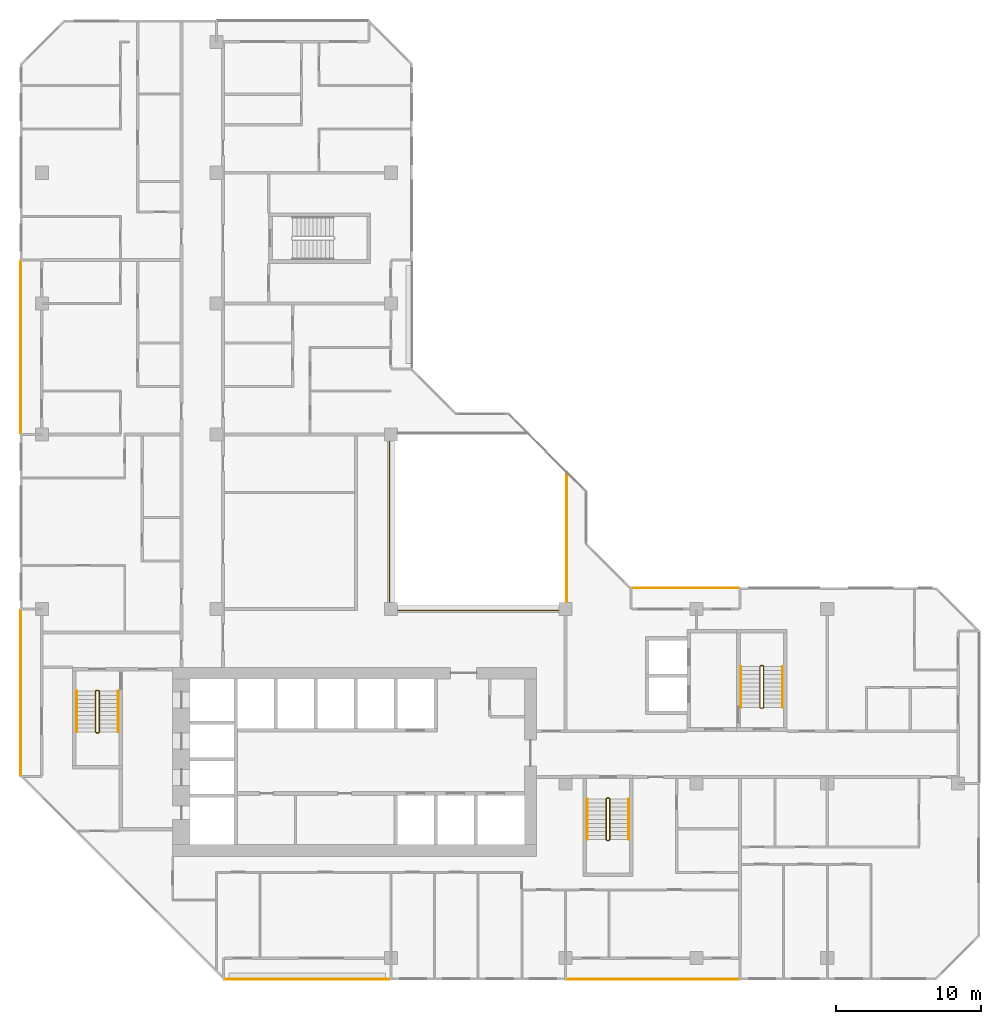
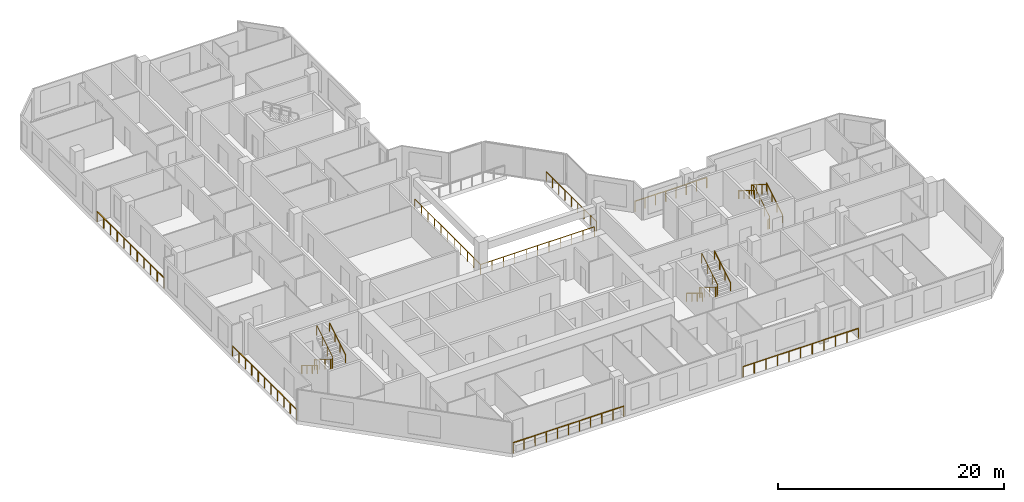
# One storey, part 14 of 15: 16 railings.
"""IFC4 building model written with IfcOpenShell, lengths in metres."""

from ifc_helpers import new_model, si_unit, direction, frame, origin, origin_2d, place, context, subcontext, project, spatial, rectangle, extrude, material, type_object, element, save


model = new_model("IFC4")

# Units and contexts
model_context = context("Model", 3, precision=1e-05, world=origin(), true_north=direction((0.0, 1.0)))
body_context = subcontext(model_context, "Body", "Model", "MODEL_VIEW")
ifc_project = project(units=[si_unit("LENGTHUNIT", "METRE"), si_unit("AREAUNIT", "SQUARE_METRE"), si_unit("VOLUMEUNIT", "CUBIC_METRE"), si_unit("PLANEANGLEUNIT", "RADIAN"), si_unit("MASSUNIT", "GRAM", prefix="KILO")], contexts=[model_context])

# Site, building, storey
site_placement = place(None, origin())
site = spatial("IfcSite", under=ifc_project, at=site_placement, CompositionType="ELEMENT")
building_placement = place(site_placement, origin())
building = spatial("IfcBuilding", under=site, at=building_placement, Name="Chenar Terraces", CompositionType="ELEMENT")
storey_placement = place(building_placement, frame((0.0, 0.0, 198.64990234375)))
storey = spatial("IfcBuildingStorey", under=building, at=storey_placement, Name="L46", CompositionType="ELEMENT", Elevation=198.64990234375)

# Railings
ifc_material_1 = material(Name="Powder-coated steel", Category="steel")
railing_type_1 = type_object("IfcRailingType", Name="Guard 1100 steel rail with glass infill", PredefinedType="GUARDRAIL", material=ifc_material_1)
railing_1_placement = place(storey_placement, frame((23.89990234375, 35.550048828125, 0.0)))
element("IfcRailing", 1, at=railing_1_placement, inside=storey, type_object=railing_type_1, Name="Guard L46-1", PredefinedType="GUARDRAIL", context=body_context, shape_type="SweptSolid", body=[
    extrude(rectangle(XDim=0.06005859375, YDim=0.06005859375, at=origin_2d()), frame((0.0, 0.0, 1.070068359375), z_axis=(0.0, -1.0, 0.0), x_axis=(1.0, 0.0, 0.0)), (0.0, 0.0, 1.0), 11.650146484375),
    extrude(rectangle(XDim=0.06005859375, YDim=0.06005859375, at=origin_2d()), frame((0.0, -11.650146484375, 1.070068359375), z_axis=(1.0, 0.0, 0.0), x_axis=(0.0, 1.0, 0.0)), (0.0, 0.0, 1.0), 11.650146484375),
    extrude(rectangle(XDim=0.050048828125, YDim=0.050048828125, at=origin_2d()), origin(), (0.0, 0.0, 1.0), 1.0400390625),
    extrude(rectangle(XDim=0.050048828125, YDim=0.050048828125, at=origin_2d()), frame((0.0, -1.1650390625, 0.0)), (0.0, 0.0, 1.0), 1.0400390625),
    extrude(rectangle(XDim=0.050048828125, YDim=0.050048828125, at=origin_2d()), frame((0.0, -2.330078125, 0.0)), (0.0, 0.0, 1.0), 1.0400390625),
    extrude(rectangle(XDim=0.050048828125, YDim=0.050048828125, at=origin_2d()), frame((0.0, -3.4951171875, 0.0)), (0.0, 0.0, 1.0), 1.0400390625),
    extrude(rectangle(XDim=0.050048828125, YDim=0.050048828125, at=origin_2d()), frame((0.0, -4.66015625, 0.0)), (0.0, 0.0, 1.0), 1.0400390625),
    extrude(rectangle(XDim=0.050048828125, YDim=0.050048828125, at=origin_2d()), frame((0.0, -5.8251953125, 0.0)), (0.0, 0.0, 1.0), 1.0400390625),
    extrude(rectangle(XDim=0.050048828125, YDim=0.050048828125, at=origin_2d()), frame((0.0, -6.989990234375, 0.0)), (0.0, 0.0, 1.0), 1.0400390625),
    extrude(rectangle(XDim=0.050048828125, YDim=0.050048828125, at=origin_2d()), frame((0.0, -8.155029296875, 0.0)), (0.0, 0.0, 1.0), 1.0400390625),
    extrude(rectangle(XDim=0.050048828125, YDim=0.050048828125, at=origin_2d()), frame((0.0, -9.320068359375, 0.0)), (0.0, 0.0, 1.0), 1.0400390625),
    extrude(rectangle(XDim=0.050048828125, YDim=0.050048828125, at=origin_2d()), frame((0.0, -10.485107421875, 0.0)), (0.0, 0.0, 1.0), 1.0400390625),
    extrude(rectangle(XDim=0.050048828125, YDim=0.050048828125, at=origin_2d()), frame((0.0, -11.650146484375, 0.0)), (0.0, 0.0, 1.0), 1.0400390625),
    extrude(rectangle(XDim=0.050048828125, YDim=0.050048828125, at=origin_2d()), frame((1.1650390625, -11.650146484375, 0.0)), (0.0, 0.0, 1.0), 1.0400390625),
    extrude(rectangle(XDim=0.050048828125, YDim=0.050048828125, at=origin_2d()), frame((2.330078125, -11.650146484375, 0.0)), (0.0, 0.0, 1.0), 1.0400390625),
    extrude(rectangle(XDim=0.050048828125, YDim=0.050048828125, at=origin_2d()), frame((3.4951171875, -11.650146484375, 0.0)), (0.0, 0.0, 1.0), 1.0400390625),
    extrude(rectangle(XDim=0.050048828125, YDim=0.050048828125, at=origin_2d()), frame((4.66015625, -11.650146484375, 0.0)), (0.0, 0.0, 1.0), 1.0400390625),
    extrude(rectangle(XDim=0.050048828125, YDim=0.050048828125, at=origin_2d()), frame((5.8251953125, -11.650146484375, 0.0)), (0.0, 0.0, 1.0), 1.0400390625),
    extrude(rectangle(XDim=0.050048828125, YDim=0.050048828125, at=origin_2d()), frame((6.989990234375, -11.650146484375, 0.0)), (0.0, 0.0, 1.0), 1.0400390625),
    extrude(rectangle(XDim=0.050048828125, YDim=0.050048828125, at=origin_2d()), frame((8.155029296875, -11.650146484375, 0.0)), (0.0, 0.0, 1.0), 1.0400390625),
    extrude(rectangle(XDim=0.050048828125, YDim=0.050048828125, at=origin_2d()), frame((9.320068359375, -11.650146484375, 0.0)), (0.0, 0.0, 1.0), 1.0400390625),
    extrude(rectangle(XDim=0.050048828125, YDim=0.050048828125, at=origin_2d()), frame((10.485107421875, -11.650146484375, 0.0)), (0.0, 0.0, 1.0), 1.0400390625),
    extrude(rectangle(XDim=0.050048828125, YDim=0.050048828125, at=origin_2d()), frame((11.650146484375, -11.650146484375, 0.0)), (0.0, 0.0, 1.0), 1.0400390625),
])
railing_2_placement = place(storey_placement, frame((36.10009765625, 24.5, 0.0)))
element("IfcRailing", 2, at=railing_2_placement, inside=storey, type_object=railing_type_1, Name="Guard L46-3", PredefinedType="GUARDRAIL", context=body_context, shape_type="SweptSolid", body=[
    extrude(rectangle(XDim=0.06005859375, YDim=0.06005859375, at=origin_2d()), frame((0.0, 0.0, 1.070068359375), z_axis=(0.0, 1.0, 0.0), x_axis=(-1.0, 0.0, 0.0)), (0.0, 0.0, 1.0), 8.89990234375),
    extrude(rectangle(XDim=0.050048828125, YDim=0.050048828125, at=origin_2d()), origin(), (0.0, 0.0, 1.0), 1.0400390625),
    extrude(rectangle(XDim=0.050048828125, YDim=0.050048828125, at=origin_2d()), frame((0.0, 1.112548828125, 0.0)), (0.0, 0.0, 1.0), 1.0400390625),
    extrude(rectangle(XDim=0.050048828125, YDim=0.050048828125, at=origin_2d()), frame((0.0, 2.22509765625, 0.0)), (0.0, 0.0, 1.0), 1.0400390625),
    extrude(rectangle(XDim=0.050048828125, YDim=0.050048828125, at=origin_2d()), frame((0.0, 3.33740234375, 0.0)), (0.0, 0.0, 1.0), 1.0400390625),
    extrude(rectangle(XDim=0.050048828125, YDim=0.050048828125, at=origin_2d()), frame((0.0, 4.449951171875, 0.0)), (0.0, 0.0, 1.0), 1.0400390625),
    extrude(rectangle(XDim=0.050048828125, YDim=0.050048828125, at=origin_2d()), frame((0.0, 5.5625, 0.0)), (0.0, 0.0, 1.0), 1.0400390625),
    extrude(rectangle(XDim=0.050048828125, YDim=0.050048828125, at=origin_2d()), frame((0.0, 6.6748046875, 0.0)), (0.0, 0.0, 1.0), 1.0400390625),
    extrude(rectangle(XDim=0.050048828125, YDim=0.050048828125, at=origin_2d()), frame((0.0, 7.787353515625, 0.0)), (0.0, 0.0, 1.0), 1.0400390625),
    extrude(rectangle(XDim=0.050048828125, YDim=0.050048828125, at=origin_2d()), frame((0.0, 8.89990234375, 0.0)), (0.0, 0.0, 1.0), 1.0400390625),
])
ifc_material_2 = material(Name="Stainless steel and glass", Category="steel")
railing_type_2 = type_object("IfcRailingType", Name="Loggia guard 1150", PredefinedType="GUARDRAIL", material=ifc_material_2)
railing_3_placement = place(storey_placement, frame((47.925048828125, 25.449951171875, 0.0)))
element("IfcRailing", 3, at=railing_3_placement, inside=storey, type_object=railing_type_2, Name="Loggia guard", PredefinedType="GUARDRAIL", context=body_context, shape_type="SweptSolid", body=[
    extrude(rectangle(XDim=0.048095703125, YDim=0.048095703125, at=origin_2d()), frame((0.0, 0.0, 1.1259765625), z_axis=(-1.0, 0.0, 0.0), x_axis=(0.0, -1.0, 0.0)), (0.0, 0.0, 1.0), 7.35009765625),
    extrude(rectangle(XDim=0.0419921875, YDim=0.0419921875, at=origin_2d()), origin(), (0.0, 0.0, 1.0), 1.101806640625),
    extrude(rectangle(XDim=0.0419921875, YDim=0.0419921875, at=origin_2d()), frame((-1.050048828125, 0.0, 0.0)), (0.0, 0.0, 1.0), 1.101806640625),
    extrude(rectangle(XDim=0.0419921875, YDim=0.0419921875, at=origin_2d()), frame((-2.10009765625, 0.0, 0.0)), (0.0, 0.0, 1.0), 1.101806640625),
    extrude(rectangle(XDim=0.0419921875, YDim=0.0419921875, at=origin_2d()), frame((-3.150146484375, 0.0, 0.0)), (0.0, 0.0, 1.0), 1.101806640625),
    extrude(rectangle(XDim=0.0419921875, YDim=0.0419921875, at=origin_2d()), frame((-4.199951171875, 0.0, 0.0)), (0.0, 0.0, 1.0), 1.101806640625),
    extrude(rectangle(XDim=0.0419921875, YDim=0.0419921875, at=origin_2d()), frame((-5.25, 0.0, 0.0)), (0.0, 0.0, 1.0), 1.101806640625),
    extrude(rectangle(XDim=0.0419921875, YDim=0.0419921875, at=origin_2d()), frame((-6.300048828125, 0.0, 0.0)), (0.0, 0.0, 1.0), 1.101806640625),
    extrude(rectangle(XDim=0.0419921875, YDim=0.0419921875, at=origin_2d()), frame((-7.35009765625, 0.0, 0.0)), (0.0, 0.0, 1.0), 1.101806640625),
])
railing_4_placement = place(storey_placement, frame((12.574951171875, -1.449951171875, 0.0)))
element("IfcRailing", 4, at=railing_4_placement, inside=storey, type_object=railing_type_2, Name="Loggia guard", PredefinedType="GUARDRAIL", context=body_context, shape_type="SweptSolid", body=[
    extrude(rectangle(XDim=0.048095703125, YDim=0.048095703125, at=origin_2d()), frame((0.0, 0.0, 1.1259765625), z_axis=(1.0, 0.0, 0.0), x_axis=(0.0, 1.0, 0.0)), (0.0, 0.0, 1.0), 11.35009765625),
    extrude(rectangle(XDim=0.0419921875, YDim=0.0419921875, at=origin_2d()), origin(), (0.0, 0.0, 1.0), 1.101806640625),
    extrude(rectangle(XDim=0.0419921875, YDim=0.0419921875, at=origin_2d()), frame((1.135009765625, 0.0, 0.0)), (0.0, 0.0, 1.0), 1.101806640625),
    extrude(rectangle(XDim=0.0419921875, YDim=0.0419921875, at=origin_2d()), frame((2.27001953125, 0.0, 0.0)), (0.0, 0.0, 1.0), 1.101806640625),
    extrude(rectangle(XDim=0.0419921875, YDim=0.0419921875, at=origin_2d()), frame((3.405029296875, 0.0, 0.0)), (0.0, 0.0, 1.0), 1.101806640625),
    extrude(rectangle(XDim=0.0419921875, YDim=0.0419921875, at=origin_2d()), frame((4.5400390625, 0.0, 0.0)), (0.0, 0.0, 1.0), 1.101806640625),
    extrude(rectangle(XDim=0.0419921875, YDim=0.0419921875, at=origin_2d()), frame((5.675048828125, 0.0, 0.0)), (0.0, 0.0, 1.0), 1.101806640625),
    extrude(rectangle(XDim=0.0419921875, YDim=0.0419921875, at=origin_2d()), frame((6.81005859375, 0.0, 0.0)), (0.0, 0.0, 1.0), 1.101806640625),
    extrude(rectangle(XDim=0.0419921875, YDim=0.0419921875, at=origin_2d()), frame((7.945068359375, 0.0, 0.0)), (0.0, 0.0, 1.0), 1.101806640625),
    extrude(rectangle(XDim=0.0419921875, YDim=0.0419921875, at=origin_2d()), frame((9.080078125, 0.0, 0.0)), (0.0, 0.0, 1.0), 1.101806640625),
    extrude(rectangle(XDim=0.0419921875, YDim=0.0419921875, at=origin_2d()), frame((10.215087890625, 0.0, 0.0)), (0.0, 0.0, 1.0), 1.101806640625),
    extrude(rectangle(XDim=0.0419921875, YDim=0.0419921875, at=origin_2d()), frame((11.35009765625, 0.0, 0.0)), (0.0, 0.0, 1.0), 1.101806640625),
])
railing_5_placement = place(storey_placement, frame((36.074951171875, -1.449951171875, 0.0)))
element("IfcRailing", 5, at=railing_5_placement, inside=storey, type_object=railing_type_2, Name="Loggia guard", PredefinedType="GUARDRAIL", context=body_context, shape_type="SweptSolid", body=[
    extrude(rectangle(XDim=0.048095703125, YDim=0.048095703125, at=origin_2d()), frame((0.0, 0.0, 1.1259765625), z_axis=(1.0, 0.0, 0.0), x_axis=(0.0, 1.0, 0.0)), (0.0, 0.0, 1.0), 11.85009765625),
    extrude(rectangle(XDim=0.0419921875, YDim=0.0419921875, at=origin_2d()), origin(), (0.0, 0.0, 1.0), 1.101806640625),
    extrude(rectangle(XDim=0.0419921875, YDim=0.0419921875, at=origin_2d()), frame((1.18505859375, 0.0, 0.0)), (0.0, 0.0, 1.0), 1.101806640625),
    extrude(rectangle(XDim=0.0419921875, YDim=0.0419921875, at=origin_2d()), frame((2.3701171875, 0.0, 0.0)), (0.0, 0.0, 1.0), 1.101806640625),
    extrude(rectangle(XDim=0.0419921875, YDim=0.0419921875, at=origin_2d()), frame((3.554931640625, 0.0, 0.0)), (0.0, 0.0, 1.0), 1.101806640625),
    extrude(rectangle(XDim=0.0419921875, YDim=0.0419921875, at=origin_2d()), frame((4.739990234375, 0.0, 0.0)), (0.0, 0.0, 1.0), 1.101806640625),
    extrude(rectangle(XDim=0.0419921875, YDim=0.0419921875, at=origin_2d()), frame((5.925048828125, 0.0, 0.0)), (0.0, 0.0, 1.0), 1.101806640625),
    extrude(rectangle(XDim=0.0419921875, YDim=0.0419921875, at=origin_2d()), frame((7.110107421875, 0.0, 0.0)), (0.0, 0.0, 1.0), 1.101806640625),
    extrude(rectangle(XDim=0.0419921875, YDim=0.0419921875, at=origin_2d()), frame((8.295166015625, 0.0, 0.0)), (0.0, 0.0, 1.0), 1.101806640625),
    extrude(rectangle(XDim=0.0419921875, YDim=0.0419921875, at=origin_2d()), frame((9.47998046875, 0.0, 0.0)), (0.0, 0.0, 1.0), 1.101806640625),
    extrude(rectangle(XDim=0.0419921875, YDim=0.0419921875, at=origin_2d()), frame((10.6650390625, 0.0, 0.0)), (0.0, 0.0, 1.0), 1.101806640625),
    extrude(rectangle(XDim=0.0419921875, YDim=0.0419921875, at=origin_2d()), frame((11.85009765625, 0.0, 0.0)), (0.0, 0.0, 1.0), 1.101806640625),
])
railing_6_placement = place(storey_placement, frame((-1.449951171875, 47.925048828125, 0.0)))
element("IfcRailing", 6, at=railing_6_placement, inside=storey, type_object=railing_type_2, Name="Loggia guard", PredefinedType="GUARDRAIL", context=body_context, shape_type="SweptSolid", body=[
    extrude(rectangle(XDim=0.048095703125, YDim=0.048095703125, at=origin_2d()), frame((0.0, 0.0, 1.1259765625), z_axis=(0.0, -1.0, 0.0), x_axis=(1.0, 0.0, 0.0)), (0.0, 0.0, 1.0), 11.85009765625),
    extrude(rectangle(XDim=0.0419921875, YDim=0.0419921875, at=origin_2d()), origin(), (0.0, 0.0, 1.0), 1.101806640625),
    extrude(rectangle(XDim=0.0419921875, YDim=0.0419921875, at=origin_2d()), frame((0.0, -1.18505859375, 0.0)), (0.0, 0.0, 1.0), 1.101806640625),
    extrude(rectangle(XDim=0.0419921875, YDim=0.0419921875, at=origin_2d()), frame((0.0, -2.3701171875, 0.0)), (0.0, 0.0, 1.0), 1.101806640625),
    extrude(rectangle(XDim=0.0419921875, YDim=0.0419921875, at=origin_2d()), frame((0.0, -3.554931640625, 0.0)), (0.0, 0.0, 1.0), 1.101806640625),
    extrude(rectangle(XDim=0.0419921875, YDim=0.0419921875, at=origin_2d()), frame((0.0, -4.739990234375, 0.0)), (0.0, 0.0, 1.0), 1.101806640625),
    extrude(rectangle(XDim=0.0419921875, YDim=0.0419921875, at=origin_2d()), frame((0.0, -5.925048828125, 0.0)), (0.0, 0.0, 1.0), 1.101806640625),
    extrude(rectangle(XDim=0.0419921875, YDim=0.0419921875, at=origin_2d()), frame((0.0, -7.110107421875, 0.0)), (0.0, 0.0, 1.0), 1.101806640625),
    extrude(rectangle(XDim=0.0419921875, YDim=0.0419921875, at=origin_2d()), frame((0.0, -8.295166015625, 0.0)), (0.0, 0.0, 1.0), 1.101806640625),
    extrude(rectangle(XDim=0.0419921875, YDim=0.0419921875, at=origin_2d()), frame((0.0, -9.47998046875, 0.0)), (0.0, 0.0, 1.0), 1.101806640625),
    extrude(rectangle(XDim=0.0419921875, YDim=0.0419921875, at=origin_2d()), frame((0.0, -10.6650390625, 0.0)), (0.0, 0.0, 1.0), 1.101806640625),
    extrude(rectangle(XDim=0.0419921875, YDim=0.0419921875, at=origin_2d()), frame((0.0, -11.85009765625, 0.0)), (0.0, 0.0, 1.0), 1.101806640625),
])
railing_7_placement = place(storey_placement, frame((-1.449951171875, 23.925048828125, 0.0)))
element("IfcRailing", 7, at=railing_7_placement, inside=storey, type_object=railing_type_2, Name="Loggia guard", PredefinedType="GUARDRAIL", context=body_context, shape_type="SweptSolid", body=[
    extrude(rectangle(XDim=0.048095703125, YDim=0.048095703125, at=origin_2d()), frame((0.0, 0.0, 1.1259765625), z_axis=(0.0, -1.0, 0.0), x_axis=(1.0, 0.0, 0.0)), (0.0, 0.0, 1.0), 11.35009765625),
    extrude(rectangle(XDim=0.0419921875, YDim=0.0419921875, at=origin_2d()), origin(), (0.0, 0.0, 1.0), 1.101806640625),
    extrude(rectangle(XDim=0.0419921875, YDim=0.0419921875, at=origin_2d()), frame((0.0, -1.135009765625, 0.0)), (0.0, 0.0, 1.0), 1.101806640625),
    extrude(rectangle(XDim=0.0419921875, YDim=0.0419921875, at=origin_2d()), frame((0.0, -2.27001953125, 0.0)), (0.0, 0.0, 1.0), 1.101806640625),
    extrude(rectangle(XDim=0.0419921875, YDim=0.0419921875, at=origin_2d()), frame((0.0, -3.405029296875, 0.0)), (0.0, 0.0, 1.0), 1.101806640625),
    extrude(rectangle(XDim=0.0419921875, YDim=0.0419921875, at=origin_2d()), frame((0.0, -4.5400390625, 0.0)), (0.0, 0.0, 1.0), 1.101806640625),
    extrude(rectangle(XDim=0.0419921875, YDim=0.0419921875, at=origin_2d()), frame((0.0, -5.675048828125, 0.0)), (0.0, 0.0, 1.0), 1.101806640625),
    extrude(rectangle(XDim=0.0419921875, YDim=0.0419921875, at=origin_2d()), frame((0.0, -6.81005859375, 0.0)), (0.0, 0.0, 1.0), 1.101806640625),
    extrude(rectangle(XDim=0.0419921875, YDim=0.0419921875, at=origin_2d()), frame((0.0, -7.945068359375, 0.0)), (0.0, 0.0, 1.0), 1.101806640625),
    extrude(rectangle(XDim=0.0419921875, YDim=0.0419921875, at=origin_2d()), frame((0.0, -9.080078125, 0.0)), (0.0, 0.0, 1.0), 1.101806640625),
    extrude(rectangle(XDim=0.0419921875, YDim=0.0419921875, at=origin_2d()), frame((0.0, -10.215087890625, 0.0)), (0.0, 0.0, 1.0), 1.101806640625),
    extrude(rectangle(XDim=0.0419921875, YDim=0.0419921875, at=origin_2d()), frame((0.0, -11.35009765625, 0.0)), (0.0, 0.0, 1.0), 1.101806640625),
])
ifc_material_3 = material(Name="Powder-coated steel", Category="steel")
railing_type_3 = type_object("IfcRailingType", Name="Stair guard 1100", PredefinedType="GUARDRAIL", material=ifc_material_3)
railing_8_placement = place(storey_placement, frame((3.949951171875, 18.35009765625, 3.75)))
element("IfcRailing", 8, at=railing_8_placement, inside=storey, type_object=railing_type_3, Name="L46 ST1 stair guard 1", PredefinedType="GUARDRAIL", context=body_context, shape_type="SweptSolid", body=[
    extrude(rectangle(XDim=0.048095703125, YDim=0.048095703125, at=origin_2d()), frame((0.0, 0.0, 1.076171875), z_axis=(0.0, -0.854202870247, -0.519939858505), x_axis=(1.0, 0.0, 0.0)), (0.0, 0.0, 1.0), 3.278076171875),
    extrude(rectangle(XDim=0.048095703125, YDim=0.048095703125, at=origin_2d()), frame((0.0, -2.800048828125, -0.62841796875), z_axis=(-0.270899902878, -0.270899902878, -0.923702595667), x_axis=(0.707106781187, -0.707106781187, 0.0)), (0.0, 0.0, 1.0), 0.184814453125),
    extrude(rectangle(XDim=0.048095703125, YDim=0.048095703125, at=origin_2d()), frame((-0.050048828125, -2.85009765625, -0.798828125), z_axis=(-1.0, 0.0, 0.0), x_axis=(0.0, -1.0, 0.0)), (0.0, 0.0, 1.0), 0.14990234375),
    extrude(rectangle(XDim=0.048095703125, YDim=0.048095703125, at=origin_2d()), frame((-0.199951171875, -2.85009765625, -0.798828125), z_axis=(-0.707106781187, 0.707106781187, 0.0), x_axis=(-0.707106781187, -0.707106781187, 0.0)), (0.0, 0.0, 1.0), 0.07080078125),
    extrude(rectangle(XDim=0.048095703125, YDim=0.048095703125, at=origin_2d()), frame((-0.25, -2.800048828125, -0.798828125), z_axis=(0.0, 0.854202870247, -0.519939858505), x_axis=(-1.0, 0.0, 0.0)), (0.0, 0.0, 1.0), 3.278076171875),
    extrude(rectangle(XDim=0.048095703125, YDim=0.048095703125, at=origin_2d()), frame((-0.25, 0.0, -2.50341796875), z_axis=(0.270996696079, 0.269674760976, -0.924032636873), x_axis=(-0.705375805398, 0.708833529934, 0.0)), (0.0, 0.0, 1.0), 0.1845703125),
    extrude(rectangle(XDim=0.048095703125, YDim=0.048095703125, at=origin_2d()), frame((-0.199951171875, 0.0498046875, -2.673828125), z_axis=(1.0, 0.0, 0.0), x_axis=(0.0, 1.0, 0.0)), (0.0, 0.0, 1.0), 0.14990234375),
    extrude(rectangle(XDim=0.0419921875, YDim=0.0419921875, at=origin_2d()), origin(), (0.0, 0.0, 1.0), 1.052001953125),
    extrude(rectangle(XDim=0.0419921875, YDim=0.0419921875, at=origin_2d()), frame((0.0, -0.933349609375, -0.568115234375)), (0.0, 0.0, 1.0), 1.052001953125),
    extrude(rectangle(XDim=0.0419921875, YDim=0.0419921875, at=origin_2d()), frame((0.0, -1.86669921875, -1.13623046875)), (0.0, 0.0, 1.0), 1.052001953125),
    extrude(rectangle(XDim=0.0419921875, YDim=0.0419921875, at=origin_2d()), frame((0.0, -2.800048828125, -1.704345703125)), (0.0, 0.0, 1.0), 1.052001953125),
    extrude(rectangle(XDim=0.0419921875, YDim=0.0419921875, at=origin_2d()), frame((-0.050048828125, -2.85009765625, -1.875)), (0.0, 0.0, 1.0), 1.052001953125),
    extrude(rectangle(XDim=0.0419921875, YDim=0.0419921875, at=origin_2d()), frame((-0.199951171875, -2.85009765625, -1.875)), (0.0, 0.0, 1.0), 1.052001953125),
    extrude(rectangle(XDim=0.0419921875, YDim=0.0419921875, at=origin_2d()), frame((-0.25, -2.800048828125, -1.875)), (0.0, 0.0, 1.0), 1.052001953125),
    extrude(rectangle(XDim=0.0419921875, YDim=0.0419921875, at=origin_2d()), frame((-0.25, -1.86669921875, -2.443115234375)), (0.0, 0.0, 1.0), 1.052001953125),
    extrude(rectangle(XDim=0.0419921875, YDim=0.0419921875, at=origin_2d()), frame((-0.25, -0.933349609375, -3.01123046875)), (0.0, 0.0, 1.0), 1.052001953125),
    extrude(rectangle(XDim=0.0419921875, YDim=0.0419921875, at=origin_2d()), frame((-0.25, 0.0, -3.579345703125)), (0.0, 0.0, 1.0), 1.052001953125),
    extrude(rectangle(XDim=0.0419921875, YDim=0.0419921875, at=origin_2d()), frame((-0.199951171875, 0.0498046875, -3.75)), (0.0, 0.0, 1.0), 1.052001953125),
    extrude(rectangle(XDim=0.0419921875, YDim=0.0419921875, at=origin_2d()), frame((-0.050048828125, 0.0498046875, -3.75)), (0.0, 0.0, 1.0), 1.052001953125),
])
railing_9_placement = place(storey_placement, frame((39.050048828125, 10.949951171875, 3.75)))
element("IfcRailing", 9, at=railing_9_placement, inside=storey, type_object=railing_type_3, Name="L46 ST2 stair guard 1", PredefinedType="GUARDRAIL", context=body_context, shape_type="SweptSolid", body=[
    extrude(rectangle(XDim=0.048095703125, YDim=0.048095703125, at=origin_2d()), frame((0.0, 0.0, 1.076171875), z_axis=(0.0, -0.854202870247, -0.519939858505), x_axis=(1.0, 0.0, 0.0)), (0.0, 0.0, 1.0), 3.278076171875),
    extrude(rectangle(XDim=0.048095703125, YDim=0.048095703125, at=origin_2d()), frame((0.0, -2.800048828125, -0.62841796875), z_axis=(-0.270996696079, -0.269674760976, -0.924032636873), x_axis=(0.705375805398, -0.708833529934, 0.0)), (0.0, 0.0, 1.0), 0.1845703125),
    extrude(rectangle(XDim=0.048095703125, YDim=0.048095703125, at=origin_2d()), frame((-0.050048828125, -2.849853515625, -0.798828125), z_axis=(-1.0, 0.0, 0.0), x_axis=(0.0, -1.0, 0.0)), (0.0, 0.0, 1.0), 0.14990234375),
    extrude(rectangle(XDim=0.048095703125, YDim=0.048095703125, at=origin_2d()), frame((-0.199951171875, -2.849853515625, -0.798828125), z_axis=(-0.708833529934, 0.705375805398, 0.0), x_axis=(-0.705375805398, -0.708833529934, 0.0)), (0.0, 0.0, 1.0), 0.070556640625),
    extrude(rectangle(XDim=0.048095703125, YDim=0.048095703125, at=origin_2d()), frame((-0.25, -2.800048828125, -0.798828125), z_axis=(0.0, 0.854202870247, -0.519939858505), x_axis=(-1.0, 0.0, 0.0)), (0.0, 0.0, 1.0), 3.278076171875),
    extrude(rectangle(XDim=0.048095703125, YDim=0.048095703125, at=origin_2d()), frame((-0.25, 0.0, -2.50341796875), z_axis=(0.270899902878, 0.270899902878, -0.923702595667), x_axis=(-0.707106781187, 0.707106781187, 0.0)), (0.0, 0.0, 1.0), 0.184814453125),
    extrude(rectangle(XDim=0.048095703125, YDim=0.048095703125, at=origin_2d()), frame((-0.199951171875, 0.050048828125, -2.673828125), z_axis=(1.0, 0.0, 0.0), x_axis=(0.0, 1.0, 0.0)), (0.0, 0.0, 1.0), 0.14990234375),
    extrude(rectangle(XDim=0.0419921875, YDim=0.0419921875, at=origin_2d()), origin(), (0.0, 0.0, 1.0), 1.052001953125),
    extrude(rectangle(XDim=0.0419921875, YDim=0.0419921875, at=origin_2d()), frame((0.0, -0.933349609375, -0.568115234375)), (0.0, 0.0, 1.0), 1.052001953125),
    extrude(rectangle(XDim=0.0419921875, YDim=0.0419921875, at=origin_2d()), frame((0.0, -1.86669921875, -1.13623046875)), (0.0, 0.0, 1.0), 1.052001953125),
    extrude(rectangle(XDim=0.0419921875, YDim=0.0419921875, at=origin_2d()), frame((0.0, -2.800048828125, -1.704345703125)), (0.0, 0.0, 1.0), 1.052001953125),
    extrude(rectangle(XDim=0.0419921875, YDim=0.0419921875, at=origin_2d()), frame((-0.050048828125, -2.849853515625, -1.875)), (0.0, 0.0, 1.0), 1.052001953125),
    extrude(rectangle(XDim=0.0419921875, YDim=0.0419921875, at=origin_2d()), frame((-0.199951171875, -2.849853515625, -1.875)), (0.0, 0.0, 1.0), 1.052001953125),
    extrude(rectangle(XDim=0.0419921875, YDim=0.0419921875, at=origin_2d()), frame((-0.25, -2.800048828125, -1.875)), (0.0, 0.0, 1.0), 1.052001953125),
    extrude(rectangle(XDim=0.0419921875, YDim=0.0419921875, at=origin_2d()), frame((-0.25, -1.86669921875, -2.443115234375)), (0.0, 0.0, 1.0), 1.052001953125),
    extrude(rectangle(XDim=0.0419921875, YDim=0.0419921875, at=origin_2d()), frame((-0.25, -0.933349609375, -3.01123046875)), (0.0, 0.0, 1.0), 1.052001953125),
    extrude(rectangle(XDim=0.0419921875, YDim=0.0419921875, at=origin_2d()), frame((-0.25, 0.0, -3.579345703125)), (0.0, 0.0, 1.0), 1.052001953125),
    extrude(rectangle(XDim=0.0419921875, YDim=0.0419921875, at=origin_2d()), frame((-0.199951171875, 0.050048828125, -3.75)), (0.0, 0.0, 1.0), 1.052001953125),
    extrude(rectangle(XDim=0.0419921875, YDim=0.0419921875, at=origin_2d()), frame((-0.050048828125, 0.050048828125, -3.75)), (0.0, 0.0, 1.0), 1.052001953125),
])
railing_10_placement = place(storey_placement, frame((49.375, 17.25, 3.75)))
element("IfcRailing", 10, at=railing_10_placement, inside=storey, type_object=railing_type_3, Name="L46 ST3 stair guard 1", PredefinedType="GUARDRAIL", context=body_context, shape_type="SweptSolid", body=[
    extrude(rectangle(XDim=0.048095703125, YDim=0.048095703125, at=origin_2d()), frame((0.0, 0.0, 1.076171875), z_axis=(0.0, 0.854202870247, -0.519939858505), x_axis=(-1.0, 0.0, 0.0)), (0.0, 0.0, 1.0), 3.278076171875),
    extrude(rectangle(XDim=0.048095703125, YDim=0.048095703125, at=origin_2d()), frame((0.0, 2.800048828125, -0.62841796875), z_axis=(0.270899902878, 0.270899902878, -0.923702595667), x_axis=(-0.707106781187, 0.707106781187, 0.0)), (0.0, 0.0, 1.0), 0.184814453125),
    extrude(rectangle(XDim=0.048095703125, YDim=0.048095703125, at=origin_2d()), frame((0.050048828125, 2.85009765625, -0.798828125), z_axis=(1.0, 0.0, 0.0), x_axis=(0.0, 1.0, 0.0)), (0.0, 0.0, 1.0), 0.14990234375),
    extrude(rectangle(XDim=0.048095703125, YDim=0.048095703125, at=origin_2d()), frame((0.199951171875, 2.85009765625, -0.798828125), z_axis=(0.707106781187, -0.707106781187, 0.0), x_axis=(0.707106781187, 0.707106781187, 0.0)), (0.0, 0.0, 1.0), 0.07080078125),
    extrude(rectangle(XDim=0.048095703125, YDim=0.048095703125, at=origin_2d()), frame((0.25, 2.800048828125, -0.798828125), z_axis=(0.0, -0.854202870247, -0.519939858505), x_axis=(1.0, 0.0, 0.0)), (0.0, 0.0, 1.0), 3.278076171875),
    extrude(rectangle(XDim=0.048095703125, YDim=0.048095703125, at=origin_2d()), frame((0.25, 0.0, -2.50341796875), z_axis=(-0.270899902878, -0.270899902878, -0.923702595667), x_axis=(0.707106781187, -0.707106781187, 0.0)), (0.0, 0.0, 1.0), 0.184814453125),
    extrude(rectangle(XDim=0.048095703125, YDim=0.048095703125, at=origin_2d()), frame((0.199951171875, -0.050048828125, -2.673828125), z_axis=(-1.0, 0.0, 0.0), x_axis=(0.0, -1.0, 0.0)), (0.0, 0.0, 1.0), 0.14990234375),
    extrude(rectangle(XDim=0.0419921875, YDim=0.0419921875, at=origin_2d()), origin(), (0.0, 0.0, 1.0), 1.052001953125),
    extrude(rectangle(XDim=0.0419921875, YDim=0.0419921875, at=origin_2d()), frame((0.0, 0.933349609375, -0.568115234375)), (0.0, 0.0, 1.0), 1.052001953125),
    extrude(rectangle(XDim=0.0419921875, YDim=0.0419921875, at=origin_2d()), frame((0.0, 1.86669921875, -1.13623046875)), (0.0, 0.0, 1.0), 1.052001953125),
    extrude(rectangle(XDim=0.0419921875, YDim=0.0419921875, at=origin_2d()), frame((0.0, 2.800048828125, -1.704345703125)), (0.0, 0.0, 1.0), 1.052001953125),
    extrude(rectangle(XDim=0.0419921875, YDim=0.0419921875, at=origin_2d()), frame((0.050048828125, 2.85009765625, -1.875)), (0.0, 0.0, 1.0), 1.052001953125),
    extrude(rectangle(XDim=0.0419921875, YDim=0.0419921875, at=origin_2d()), frame((0.199951171875, 2.85009765625, -1.875)), (0.0, 0.0, 1.0), 1.052001953125),
    extrude(rectangle(XDim=0.0419921875, YDim=0.0419921875, at=origin_2d()), frame((0.25, 2.800048828125, -1.875)), (0.0, 0.0, 1.0), 1.052001953125),
    extrude(rectangle(XDim=0.0419921875, YDim=0.0419921875, at=origin_2d()), frame((0.25, 1.86669921875, -2.443115234375)), (0.0, 0.0, 1.0), 1.052001953125),
    extrude(rectangle(XDim=0.0419921875, YDim=0.0419921875, at=origin_2d()), frame((0.25, 0.933349609375, -3.01123046875)), (0.0, 0.0, 1.0), 1.052001953125),
    extrude(rectangle(XDim=0.0419921875, YDim=0.0419921875, at=origin_2d()), frame((0.25, 0.0, -3.579345703125)), (0.0, 0.0, 1.0), 1.052001953125),
    extrude(rectangle(XDim=0.0419921875, YDim=0.0419921875, at=origin_2d()), frame((0.199951171875, -0.050048828125, -3.75)), (0.0, 0.0, 1.0), 1.052001953125),
    extrude(rectangle(XDim=0.0419921875, YDim=0.0419921875, at=origin_2d()), frame((0.050048828125, -0.050048828125, -3.75)), (0.0, 0.0, 1.0), 1.052001953125),
])
ifc_material_4 = material(Name="Powder-coated steel", Category="steel")
railing_type_4 = type_object("IfcRailingType", Name="Stair handrail 900", PredefinedType="HANDRAIL", material=ifc_material_4)
railing_11_placement = place(storey_placement, frame((2.39990234375, 18.35009765625, 0.170654296875)))
element("IfcRailing", 11, at=railing_11_placement, inside=storey, type_object=railing_type_4, Name="L46 ST1 stair handrail 1", PredefinedType="HANDRAIL", context=body_context, shape_type="SweptSolid", body=[
    extrude(rectangle(XDim=0.048095703125, YDim=0.048095703125, at=origin_2d()), frame((0.0, 0.0, 0.8759765625), z_axis=(0.0, -0.854202870247, 0.519939858505), x_axis=(1.0, 0.0, 0.0)), (0.0, 0.0, 1.0), 3.278076171875),
    extrude(rectangle(XDim=0.0419921875, YDim=0.0419921875, at=origin_2d()), origin(), (0.0, 0.0, 1.0), 0.851806640625),
    extrude(rectangle(XDim=0.0419921875, YDim=0.0419921875, at=origin_2d()), frame((0.0, -0.933349609375, 0.568115234375)), (0.0, 0.0, 1.0), 0.851806640625),
    extrude(rectangle(XDim=0.0419921875, YDim=0.0419921875, at=origin_2d()), frame((0.0, -1.86669921875, 1.13623046875)), (0.0, 0.0, 1.0), 0.851806640625),
    extrude(rectangle(XDim=0.0419921875, YDim=0.0419921875, at=origin_2d()), frame((0.0, -2.800048828125, 1.704345703125)), (0.0, 0.0, 1.0), 0.851806640625),
])
railing_12_placement = place(storey_placement, frame((5.25, 15.550048828125, 2.045654296875)))
element("IfcRailing", 12, at=railing_12_placement, inside=storey, type_object=railing_type_4, Name="L46 ST1 stair handrail 2", PredefinedType="HANDRAIL", context=body_context, shape_type="SweptSolid", body=[
    extrude(rectangle(XDim=0.048095703125, YDim=0.048095703125, at=origin_2d()), frame((0.0, 0.0, 0.8759765625), z_axis=(0.0, 0.854202870247, 0.519939858505), x_axis=(-1.0, 0.0, 0.0)), (0.0, 0.0, 1.0), 3.278076171875),
    extrude(rectangle(XDim=0.0419921875, YDim=0.0419921875, at=origin_2d()), origin(), (0.0, 0.0, 1.0), 0.851806640625),
    extrude(rectangle(XDim=0.0419921875, YDim=0.0419921875, at=origin_2d()), frame((0.0, 0.933349609375, 0.568115234375)), (0.0, 0.0, 1.0), 0.851806640625),
    extrude(rectangle(XDim=0.0419921875, YDim=0.0419921875, at=origin_2d()), frame((0.0, 1.86669921875, 1.13623046875)), (0.0, 0.0, 1.0), 0.851806640625),
    extrude(rectangle(XDim=0.0419921875, YDim=0.0419921875, at=origin_2d()), frame((0.0, 2.800048828125, 1.704345703125)), (0.0, 0.0, 1.0), 0.851806640625),
])
railing_13_placement = place(storey_placement, frame((37.5, 10.949951171875, 0.170654296875)))
element("IfcRailing", 13, at=railing_13_placement, inside=storey, type_object=railing_type_4, Name="L46 ST2 stair handrail 1", PredefinedType="HANDRAIL", context=body_context, shape_type="SweptSolid", body=[
    extrude(rectangle(XDim=0.048095703125, YDim=0.048095703125, at=origin_2d()), frame((0.0, 0.0, 0.8759765625), z_axis=(0.0, -0.854202870247, 0.519939858505), x_axis=(1.0, 0.0, 0.0)), (0.0, 0.0, 1.0), 3.278076171875),
    extrude(rectangle(XDim=0.0419921875, YDim=0.0419921875, at=origin_2d()), origin(), (0.0, 0.0, 1.0), 0.851806640625),
    extrude(rectangle(XDim=0.0419921875, YDim=0.0419921875, at=origin_2d()), frame((0.0, -0.933349609375, 0.568115234375)), (0.0, 0.0, 1.0), 0.851806640625),
    extrude(rectangle(XDim=0.0419921875, YDim=0.0419921875, at=origin_2d()), frame((0.0, -1.86669921875, 1.13623046875)), (0.0, 0.0, 1.0), 0.851806640625),
    extrude(rectangle(XDim=0.0419921875, YDim=0.0419921875, at=origin_2d()), frame((0.0, -2.800048828125, 1.704345703125)), (0.0, 0.0, 1.0), 0.851806640625),
])
for number, where, name in (
    (14, (40.35009765625, 8.14990234375, 2.045654296875), "L46 ST2 stair handrail 2"),
    (15, (50.925048828125, 17.25, 0.170654296875), "L46 ST3 stair handrail 1"),
):
    element("IfcRailing", number, at=place(storey_placement, frame(where)), inside=storey, type_object=railing_type_4, Name=name, PredefinedType="HANDRAIL", context=body_context, shape_type="SweptSolid", body=[
        extrude(rectangle(XDim=0.048095703125, YDim=0.048095703125, at=origin_2d()), frame((0.0, 0.0, 0.8759765625), z_axis=(0.0, 0.854202870247, 0.519939858505), x_axis=(-1.0, 0.0, 0.0)), (0.0, 0.0, 1.0), 3.278076171875),
        extrude(rectangle(XDim=0.0419921875, YDim=0.0419921875, at=origin_2d()), origin(), (0.0, 0.0, 1.0), 0.851806640625),
        extrude(rectangle(XDim=0.0419921875, YDim=0.0419921875, at=origin_2d()), frame((0.0, 0.933349609375, 0.568115234375)), (0.0, 0.0, 1.0), 0.851806640625),
        extrude(rectangle(XDim=0.0419921875, YDim=0.0419921875, at=origin_2d()), frame((0.0, 1.86669921875, 1.13623046875)), (0.0, 0.0, 1.0), 0.851806640625),
        extrude(rectangle(XDim=0.0419921875, YDim=0.0419921875, at=origin_2d()), frame((0.0, 2.800048828125, 1.704345703125)), (0.0, 0.0, 1.0), 0.851806640625),
    ])
railing_14_placement = place(storey_placement, frame((48.074951171875, 20.050048828125, 2.045654296875)))
element("IfcRailing", 16, at=railing_14_placement, inside=storey, type_object=railing_type_4, Name="L46 ST3 stair handrail 2", PredefinedType="HANDRAIL", context=body_context, shape_type="SweptSolid", body=[
    extrude(rectangle(XDim=0.048095703125, YDim=0.048095703125, at=origin_2d()), frame((0.0, 0.0, 0.8759765625), z_axis=(0.0, -0.854202870247, 0.519939858505), x_axis=(1.0, 0.0, 0.0)), (0.0, 0.0, 1.0), 3.278076171875),
    extrude(rectangle(XDim=0.0419921875, YDim=0.0419921875, at=origin_2d()), origin(), (0.0, 0.0, 1.0), 0.851806640625),
    extrude(rectangle(XDim=0.0419921875, YDim=0.0419921875, at=origin_2d()), frame((0.0, -0.933349609375, 0.568115234375)), (0.0, 0.0, 1.0), 0.851806640625),
    extrude(rectangle(XDim=0.0419921875, YDim=0.0419921875, at=origin_2d()), frame((0.0, -1.86669921875, 1.13623046875)), (0.0, 0.0, 1.0), 0.851806640625),
    extrude(rectangle(XDim=0.0419921875, YDim=0.0419921875, at=origin_2d()), frame((0.0, -2.800048828125, 1.704345703125)), (0.0, 0.0, 1.0), 0.851806640625),
])

save(model, "model.ifc")
